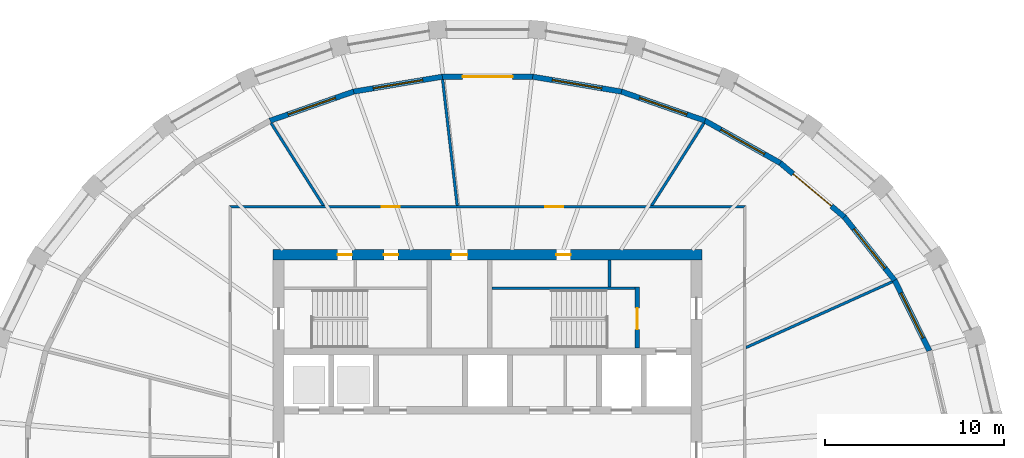
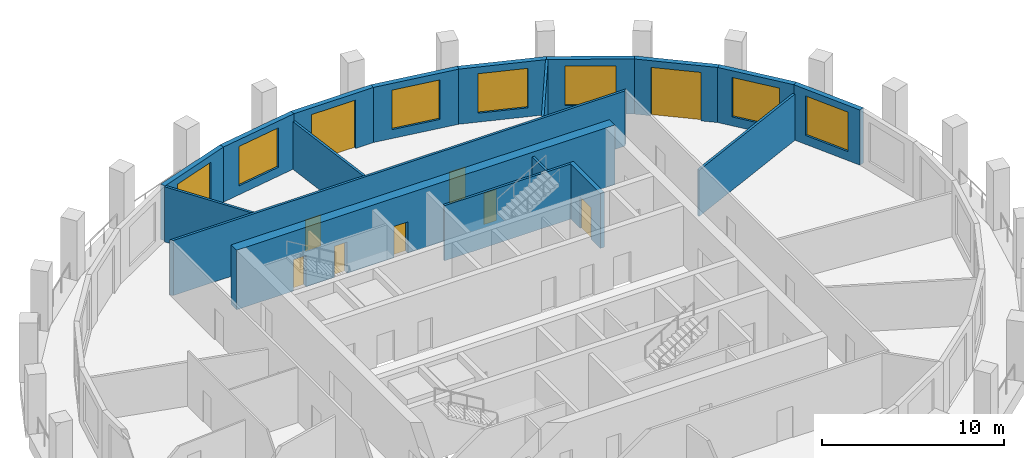
# One storey, part 6 of 10: 18 walls, 9 doors, 7 windows, 16 openings.
"""IFC4 building model written with IfcOpenShell, lengths in metres."""

from ifc_helpers import new_model, si_unit, direction, frame, frame_2d, origin, place, context, subcontext, project, spatial, polyline, rectangle, outline, extrude, material, layer, layer_set, type_object, element, fill, save


model = new_model("IFC4")

# Units and contexts
model_context = context("Model", 3, precision=1e-05, world=origin(), true_north=direction((0.0, 1.0)))
body_context = subcontext(model_context, "Body", "Model", "MODEL_VIEW")
ifc_project = project(units=[si_unit("LENGTHUNIT", "METRE"), si_unit("AREAUNIT", "SQUARE_METRE"), si_unit("VOLUMEUNIT", "CUBIC_METRE"), si_unit("PLANEANGLEUNIT", "RADIAN"), si_unit("MASSUNIT", "GRAM", prefix="KILO")], contexts=[model_context])

# Site, building, storey
site_placement = place(None, origin())
site = spatial("IfcSite", under=ifc_project, at=site_placement, CompositionType="ELEMENT")
building_placement = place(site_placement, origin())
building = spatial("IfcBuilding", under=site, at=building_placement, Name="Halqa Exchange Tower", CompositionType="ELEMENT")
storey_placement = place(building_placement, frame((0.0, 0.0, 320.300048828125)))
storey = spatial("IfcBuildingStorey", under=building, at=storey_placement, Name="L75", CompositionType="ELEMENT", Elevation=320.300048828125)

# Wall, openings, doors
ifc_material_1 = material(Name="Fire-rated gypsum board")
ifc_layer_1 = layer(ifc_material_1, 0.14990234375)
ifc_layer_set_1 = layer_set([ifc_layer_1], Name="Fire-rated gypsum board")
wall_type_1 = type_object("IfcWallType", Name="Fire partition EI 60 150", PredefinedType="PARTITIONING", material=ifc_layer_set_1)
wall_1_placement = place(storey_placement, frame((-14.47509765625, 14.39990234375, 0.0), z_axis=(0.0, 0.0, 1.0), x_axis=(1.0, 0.0, 0.0)))
wall_1 = element("IfcWall", 1, at=wall_1_placement, inside=storey, type_object=wall_type_1, Name="L75-PWL-008", PredefinedType="PARTITIONING", context=body_context, shape_type="SweptSolid", body=[
    extrude(outline(polyline([(0.150146484375, -0.074951171875), (2.06005859375, -0.074951171875), (3.97021484375, -0.074951171875), (5.880126953125, -0.074951171875), (7.7900390625, -0.074951171875), (9.7001953125, -0.074951171875), (11.610107421875, -0.074951171875), (13.52001953125, -0.074951171875), (15.43017578125, -0.074951171875), (17.340087890625, -0.074951171875), (19.25, -0.074951171875), (21.16015625, -0.074951171875), (23.070068359375, -0.074951171875), (24.97998046875, -0.074951171875), (26.89013671875, -0.074951171875), (28.800048828125, -0.074951171875), (28.949951171875, 0.074951171875), (27.02001953125, 0.074951171875), (25.090087890625, 0.074951171875), (23.159912109375, 0.074951171875), (21.22998046875, 0.074951171875), (19.300048828125, 0.074951171875), (17.3701171875, 0.074951171875), (15.440185546875, 0.074951171875), (13.510009765625, 0.074951171875), (11.580078125, 0.074951171875), (9.650146484375, 0.074951171875), (7.72021484375, 0.074951171875), (5.790283203125, 0.074951171875), (3.860107421875, 0.074951171875), (1.93017578125, 0.074951171875), (0.000244140625, 0.074951171875), (0.150146484375, -0.074951171875)])), origin(), (0.0, 0.0, 1.0), 3.699951171875),
])
opening_1_placement = place(wall_1_placement, frame((17.705078125, 0.0, 0.0)))
opening_1 = element("IfcOpeningElement", 2, at=opening_1_placement, cuts=wall_1, Name="Opening 23-02", PredefinedType="OPENING", context=body_context, shape_type="SweptSolid", body=[
    extrude(rectangle(XDim=1.0, YDim=2.10009765625, at=frame_2d((0.5, 1.050048828125))), frame((0.0, 0.0869140625, 0.0), z_axis=(0.0, -1.0, 0.0), x_axis=(1.0, 0.0, 0.0)), (0.0, 0.0, 1.0), 0.173828125),
])
opening_2_placement = place(wall_1_placement, frame((8.554931640625, 0.0, 0.0)))
opening_2 = element("IfcOpeningElement", 3, at=opening_2_placement, cuts=wall_1, Name="Opening 23-03", PredefinedType="OPENING", context=body_context, shape_type="SweptSolid", body=[
    extrude(rectangle(XDim=1.0, YDim=2.10009765625, at=frame_2d((0.5, 1.050048828125))), frame((0.0, 0.0869140625, 0.0), z_axis=(0.0, -1.0, 0.0), x_axis=(1.0, 0.0, 0.0)), (0.0, 0.0, 1.0), 0.173828125),
])
ifc_material_2 = material(Name="Steel fire door leaf", Category="steel")
door_type_1 = type_object("IfcDoorType", Name="Fire door FD30S 1000 x 2100", OperationType="SINGLE_SWING_LEFT", PredefinedType="DOOR", material=ifc_material_2)
door_1_placement = place(opening_1_placement, origin())
door_1 = element("IfcDoor", 4, at=door_1_placement, inside=storey, type_object=door_type_1, Name="L75-IDR-002", OperationType="SINGLE_SWING_RIGHT", OverallHeight=2.10009765625, OverallWidth=1.0, PredefinedType="DOOR", context=body_context, shape_type="SweptSolid", body=[
    extrude(rectangle(XDim=1.0, YDim=2.10009765625, at=frame_2d((0.5, 1.050048828125))), frame((0.0, 0.02490234375, 0.0), z_axis=(0.0, -1.0, 0.0), x_axis=(1.0, 0.0, 0.0)), (0.0, 0.0, 1.0), 0.050048828125),
])
fill(opening_1, door_1)
door_2_placement = place(opening_2_placement, origin())
door_2 = element("IfcDoor", 5, at=door_2_placement, inside=storey, type_object=door_type_1, Name="L75-IDR-003", OperationType="SINGLE_SWING_RIGHT", OverallHeight=2.10009765625, OverallWidth=1.0, PredefinedType="DOOR", context=body_context, shape_type="SweptSolid", body=[
    extrude(rectangle(XDim=1.0, YDim=2.10009765625, at=frame_2d((0.5, 1.050048828125))), frame((0.0, 0.02490234375, 0.0), z_axis=(0.0, -1.0, 0.0), x_axis=(1.0, 0.0, 0.0)), (0.0, 0.0, 1.0), 0.050048828125),
])
fill(opening_2, door_2)

# Walls
wall_2_placement = place(storey_placement, frame((-9.172119140625, 14.43505859375, 0.0), z_axis=(0.0, 0.0, 1.0), x_axis=(-0.536016173419, 0.844207712493, 0.0)))
element("IfcWall", 6, at=wall_2_placement, inside=storey, type_object=wall_type_1, Name="L75-PWL-010", PredefinedType="PARTITIONING", context=body_context, shape_type="SweptSolid", body=[
    extrude(outline(polyline([(0.0, -0.074951171875), (1.82568359375, -0.074951171875), (3.6513671875, -0.074951171875), (5.477294921875, -0.074951171875), (5.494140625, -0.002685546875), (5.498291015625, 0.074951171875), (3.697265625, 0.074951171875), (1.89599609375, 0.074951171875), (0.094970703125, 0.074951171875), (0.0, -0.074462890625), (0.0, -0.074951171875)])), origin(), (0.0, 0.0, 1.0), 3.699951171875),
])
wall_3_placement = place(storey_placement, frame((-1.69775390625, 14.466552734375, 0.0), z_axis=(0.0, 0.0, 1.0), x_axis=(-0.115131681879, 0.993350238248, 0.0)))
element("IfcWall", 7, at=wall_3_placement, inside=storey, type_object=wall_type_1, Name="L75-PWL-011", PredefinedType="PARTITIONING", context=body_context, shape_type="SweptSolid", body=[
    extrude(outline(polyline([(0.0, -0.074951171875), (1.774169921875, -0.074951171875), (3.54833984375, -0.074951171875), (5.322265625, -0.074951171875), (7.096435546875, -0.074951171875), (7.1015625, -0.03125), (7.1015625, 0.074951171875), (5.33056640625, 0.074951171875), (3.559326171875, 0.074951171875), (1.788330078125, 0.074951171875), (0.01708984375, 0.074951171875), (0.0, -0.073486328125), (0.0, -0.074951171875)])), origin(), (0.0, 0.0, 1.0), 3.199951171875),
])
wall_4_placement = place(storey_placement, frame((9.172119140625, 14.43505859375, 0.0), z_axis=(0.0, 0.0, 1.0), x_axis=(0.536016173419, 0.844207712493, 0.0)))
element("IfcWall", 8, at=wall_4_placement, inside=storey, type_object=wall_type_1, Name="L75-PWL-013", PredefinedType="PARTITIONING", context=body_context, shape_type="SweptSolid", body=[
    extrude(outline(polyline([(0.094970703125, -0.074951171875), (1.89599609375, -0.074951171875), (3.697265625, -0.074951171875), (5.498291015625, -0.074951171875), (5.494140625, 0.002685546875), (5.477294921875, 0.074951171875), (3.6513671875, 0.074951171875), (1.82568359375, 0.074951171875), (0.0, 0.074951171875), (0.0, 0.074462890625), (0.094970703125, -0.074951171875)])), origin(), (0.0, 0.0, 1.0), 3.699951171875),
])
wall_5_placement = place(storey_placement, frame((22.667236328125, 10.197265625, 0.0), z_axis=(0.0, 0.0, 1.0), x_axis=(-0.912043070278, -0.410094425662, 0.0)))
element("IfcWall", 9, at=wall_5_placement, inside=storey, type_object=wall_type_1, Name="L75-PWL-018", PredefinedType="PARTITIONING", context=body_context, shape_type="SweptSolid", body=[
    extrude(outline(polyline([(0.021484375, -0.074951171875), (1.806884765625, -0.074951171875), (3.59228515625, -0.074951171875), (5.377685546875, -0.074951171875), (7.1630859375, -0.074951171875), (8.948486328125, -0.074951171875), (9.015625, 0.07421875), (9.015625, 0.074951171875), (7.21240234375, 0.074951171875), (5.409423828125, 0.074951171875), (3.606201171875, 0.074951171875), (1.80322265625, 0.074951171875), (0.0, 0.074951171875), (0.0, 0.066162109375), (0.002197265625, 0.000732421875), (0.021484375, -0.074951171875)])), origin(), (0.0, 0.0, 1.0), 3.099853515625),
])
ifc_material_3 = material(Name="Gypsum board")
ifc_layer_2 = layer(ifc_material_3, 0.14990234375)
ifc_layer_set_2 = layer_set([ifc_layer_2], Name="Gypsum board")
wall_type_2 = type_object("IfcWallType", Name="Penthouse riser wall 150 gypsum", PredefinedType="PARTITIONING", material=ifc_layer_set_2)
wall_6_placement = place(storey_placement, frame((6.824951171875, 9.89990234375, 0.0), z_axis=(0.0, 0.0, 1.0), x_axis=(0.0, 1.0, 0.0)))
element("IfcWall", 10, at=wall_6_placement, inside=storey, type_object=wall_type_2, Name="Firefighting lobby west wall N", PredefinedType="PARTITIONING", context=body_context, shape_type="SweptSolid", body=[
    extrude(rectangle(XDim=1.5, YDim=0.14990234375, at=frame_2d((0.75, 0.0))), origin(), (0.0, 0.0, 1.0), 3.699951171875),
])

# Wall, openings, doors
ifc_material_4 = material(Name="Concrete C60/75", Category="concrete")
ifc_layer_3 = layer(ifc_material_4, 0.60009765625)
ifc_layer_set_3 = layer_set([ifc_layer_3], Name="Concrete C60/75")
wall_type_3 = type_object("IfcWallType", Name="RC core wall 600 C60/75", PredefinedType="SHEAR", material=ifc_layer_set_3)
wall_7_placement = place(storey_placement, frame((-12.0, 11.699951171875, 0.0), z_axis=(0.0, 0.0, 1.0), x_axis=(1.0, 0.0, 0.0)))
wall_7 = element("IfcWall", 11, at=wall_7_placement, inside=storey, type_object=wall_type_3, Name="Core wall north", PredefinedType="SHEAR", context=body_context, shape_type="SweptSolid", body=[
    extrude(rectangle(XDim=24.0, YDim=0.60009765625, at=frame_2d((12.0, 0.0))), origin(), (0.0, 0.0, 1.0), 4.0),
])
opening_3_placement = place(wall_7_placement, frame((9.97509765625, 0.0, 0.0)))
opening_3 = element("IfcOpeningElement", 12, at=opening_3_placement, cuts=wall_7, Name="Opening T23-C17", PredefinedType="OPENING", context=body_context, shape_type="SweptSolid", body=[
    extrude(rectangle(XDim=0.89990234375, YDim=2.10009765625, at=frame_2d((0.449951171875, 1.050048828125))), frame((0.0, 0.31201171875, 0.0), z_axis=(0.0, -1.0, 0.0), x_axis=(1.0, 0.0, 0.0)), (0.0, 0.0, 1.0), 0.6240234375),
])
opening_4_placement = place(wall_7_placement, frame((3.60009765625, 0.0, 0.0)))
opening_4 = element("IfcOpeningElement", 13, at=opening_4_placement, cuts=wall_7, Name="Opening T23-C18", PredefinedType="OPENING", context=body_context, shape_type="SweptSolid", body=[
    extrude(rectangle(XDim=0.800048828125, YDim=2.10009765625, at=frame_2d((0.39990234375, 1.050048828125))), frame((0.0, 0.31201171875, 0.0), z_axis=(0.0, -1.0, 0.0), x_axis=(1.0, 0.0, 0.0)), (0.0, 0.0, 1.0), 0.6240234375),
])
opening_5_placement = place(wall_7_placement, frame((6.199951171875, 0.0, 0.0)))
opening_5 = element("IfcOpeningElement", 14, at=opening_5_placement, cuts=wall_7, Name="Opening T23-C19", PredefinedType="OPENING", context=body_context, shape_type="SweptSolid", body=[
    extrude(rectangle(XDim=0.800048828125, YDim=2.10009765625, at=frame_2d((0.39990234375, 1.050048828125))), frame((0.0, 0.31201171875, 0.0), z_axis=(0.0, -1.0, 0.0), x_axis=(1.0, 0.0, 0.0)), (0.0, 0.0, 1.0), 0.6240234375),
])
opening_6_placement = place(wall_7_placement, frame((15.85009765625, 0.0, 0.0)))
opening_6 = element("IfcOpeningElement", 15, at=opening_6_placement, cuts=wall_7, Name="Opening T23-C20", PredefinedType="OPENING", context=body_context, shape_type="SweptSolid", body=[
    extrude(rectangle(XDim=0.800048828125, YDim=2.10009765625, at=frame_2d((0.39990234375, 1.050048828125))), frame((0.0, 0.31201171875, 0.0), z_axis=(0.0, -1.0, 0.0), x_axis=(1.0, 0.0, 0.0)), (0.0, 0.0, 1.0), 0.6240234375),
])
ifc_material_5 = material(Name="Timber fire door leaf", Category="wood")
door_type_2 = type_object("IfcDoorType", Name="Core room door FD30 900 x 2100", OperationType="SINGLE_SWING_LEFT", PredefinedType="DOOR", material=ifc_material_5)
door_3_placement = place(opening_3_placement, frame((0.89990234375, 0.0, 0.0), z_axis=(0.0, 0.0, 1.0), x_axis=(-1.0, 0.0, 0.0)))
door_3 = element("IfcDoor", 16, at=door_3_placement, inside=storey, type_object=door_type_2, Name="Core room door", OperationType="SINGLE_SWING_RIGHT", OverallHeight=2.10009765625, OverallWidth=0.89990234375, PredefinedType="DOOR", context=body_context, shape_type="SweptSolid", body=[
    extrude(rectangle(XDim=0.89990234375, YDim=2.10009765625, at=frame_2d((0.449951171875, 1.050048828125))), frame((0.0, 0.02490234375, 0.0), z_axis=(0.0, -1.0, 0.0), x_axis=(1.0, 0.0, 0.0)), (0.0, 0.0, 1.0), 0.050048828125),
])
fill(opening_3, door_3)
door_type_3 = type_object("IfcDoorType", Name="Riser door FD60 800 x 2100", OperationType="SINGLE_SWING_LEFT", PredefinedType="DOOR", material=ifc_material_2)
door_4_placement = place(opening_4_placement, frame((0.800048828125, 0.0, 0.0), z_axis=(0.0, 0.0, 1.0), x_axis=(-1.0, 0.0, 0.0)))
door_4 = element("IfcDoor", 17, at=door_4_placement, inside=storey, type_object=door_type_3, Name="Core room door", OperationType="SINGLE_SWING_RIGHT", OverallHeight=2.10009765625, OverallWidth=0.800048828125, PredefinedType="DOOR", context=body_context, shape_type="SweptSolid", body=[
    extrude(rectangle(XDim=0.800048828125, YDim=2.10009765625, at=frame_2d((0.39990234375, 1.050048828125))), frame((0.0, 0.02490234375, 0.0), z_axis=(0.0, -1.0, 0.0), x_axis=(1.0, 0.0, 0.0)), (0.0, 0.0, 1.0), 0.050048828125),
])
fill(opening_4, door_4)
door_5_placement = place(opening_5_placement, frame((0.800048828125, 0.0, 0.0), z_axis=(0.0, 0.0, 1.0), x_axis=(-1.0, 0.0, 0.0)))
door_5 = element("IfcDoor", 18, at=door_5_placement, inside=storey, type_object=door_type_3, Name="Core room door", OperationType="SINGLE_SWING_LEFT", OverallHeight=2.10009765625, OverallWidth=0.800048828125, PredefinedType="DOOR", context=body_context, shape_type="SweptSolid", body=[
    extrude(rectangle(XDim=0.800048828125, YDim=2.10009765625, at=frame_2d((0.39990234375, 1.050048828125))), frame((0.0, 0.02490234375, 0.0), z_axis=(0.0, -1.0, 0.0), x_axis=(1.0, 0.0, 0.0)), (0.0, 0.0, 1.0), 0.050048828125),
])
fill(opening_5, door_5)
door_6_placement = place(opening_6_placement, frame((0.800048828125, 0.0, 0.0), z_axis=(0.0, 0.0, 1.0), x_axis=(-1.0, 0.0, 0.0)))
door_6 = element("IfcDoor", 19, at=door_6_placement, inside=storey, type_object=door_type_3, Name="Core room door", OperationType="SINGLE_SWING_RIGHT", OverallHeight=2.10009765625, OverallWidth=0.800048828125, PredefinedType="DOOR", context=body_context, shape_type="SweptSolid", body=[
    extrude(rectangle(XDim=0.800048828125, YDim=2.10009765625, at=frame_2d((0.39990234375, 1.050048828125))), frame((0.0, 0.02490234375, 0.0), z_axis=(0.0, -1.0, 0.0), x_axis=(1.0, 0.0, 0.0)), (0.0, 0.0, 1.0), 0.050048828125),
])
fill(opening_6, door_6)

# Wall
ifc_material_6 = material(Name="Concrete C30/37", Category="concrete")
ifc_layer_4 = layer(ifc_material_6, 0.14990234375)
ifc_layer_set_4 = layer_set([ifc_layer_4], Name="Concrete C30/37")
wall_type_4 = type_object("IfcWallType", Name="RC stair wall 150 C30/37", PredefinedType="SHEAR", material=ifc_layer_set_4)
wall_8_placement = place(storey_placement, frame((0.25, 9.824951171875, 0.0), z_axis=(0.0, 0.0, 1.0), x_axis=(1.0, 0.0, 0.0)))
element("IfcWall", 20, at=wall_8_placement, inside=storey, type_object=wall_type_4, Name="Stair ST2 north wall N", PredefinedType="SHEAR", context=body_context, shape_type="SweptSolid", body=[
    extrude(rectangle(XDim=8.0, YDim=0.14990234375, at=frame_2d((4.0, 0.0))), origin(), (0.0, 0.0, 1.0), 3.699951171875),
])

# Wall, opening, door
ifc_layer_5 = layer(ifc_material_6, 0.25)
ifc_layer_set_5 = layer_set([ifc_layer_5], Name="Concrete C30/37")
wall_type_5 = type_object("IfcWallType", Name="RC stair wall 250 C30/37", PredefinedType="SHEAR", material=ifc_layer_set_5)
wall_9_placement = place(storey_placement, frame((8.375, 6.5, 0.0), z_axis=(0.0, 0.0, 1.0), x_axis=(0.0, 1.0, 0.0)))
wall_9 = element("IfcWall", 21, at=wall_9_placement, inside=storey, type_object=wall_type_5, Name="Stair ST2 east wall N", PredefinedType="SHEAR", context=body_context, shape_type="SweptSolid", body=[
    extrude(rectangle(XDim=3.39990234375, YDim=0.25, at=frame_2d((1.699951171875, 0.0))), origin(), (0.0, 0.0, 1.0), 3.699951171875),
])
opening_7_placement = place(wall_9_placement, frame((1.02490234375, 0.0, 0.0)))
opening_7 = element("IfcOpeningElement", 22, at=opening_7_placement, cuts=wall_9, Name="Opening T23-C12", PredefinedType="OPENING", context=body_context, shape_type="SweptSolid", body=[
    extrude(rectangle(XDim=1.199951171875, YDim=2.10009765625, at=frame_2d((0.60009765625, 1.050048828125))), frame((0.0, 0.136962890625, 0.0), z_axis=(0.0, -1.0, 0.0), x_axis=(1.0, 0.0, 0.0)), (0.0, 0.0, 1.0), 0.27392578125),
])
door_type_4 = type_object("IfcDoorType", Name="Stair door FD90 1200 x 2100", OperationType="SINGLE_SWING_LEFT", PredefinedType="DOOR", material=ifc_material_2)
door_7_placement = place(opening_7_placement, origin())
door_7 = element("IfcDoor", 23, at=door_7_placement, inside=storey, type_object=door_type_4, Name="Stair door ST2", OperationType="SINGLE_SWING_RIGHT", OverallHeight=2.10009765625, OverallWidth=1.199951171875, PredefinedType="DOOR", context=body_context, shape_type="SweptSolid", body=[
    extrude(rectangle(XDim=1.199951171875, YDim=2.10009765625, at=frame_2d((0.60009765625, 1.050048828125))), frame((0.0, 0.02490234375, 0.0), z_axis=(0.0, -1.0, 0.0), x_axis=(1.0, 0.0, 0.0)), (0.0, 0.0, 1.0), 0.050048828125),
])
fill(opening_7, door_7)

# Wall, opening, window
ifc_material_7 = material(Name="Limestone cladding", Category="masonry")
ifc_layer_6 = layer(ifc_material_7, 0.0400390625)
ifc_material_8 = material(Name="Ventilated cavity")
ifc_layer_7 = layer(ifc_material_8, 0.030029296875, ventilated=True)
ifc_material_9 = material(Name="Mineral wool insulation")
ifc_layer_8 = layer(ifc_material_9, 0.10009765625)
ifc_layer_9 = layer(ifc_material_6, 0.10009765625)
ifc_material_10 = material(Name="Internal plaster")
ifc_layer_10 = layer(ifc_material_10, 0.030029296875)
ifc_layer_set_6 = layer_set([ifc_layer_6, ifc_layer_7, ifc_layer_8, ifc_layer_9, ifc_layer_10], Name="Stone-faced insulated wall 300")
wall_type_6 = type_object("IfcWallType", Name="Stone-faced insulated wall 300", PredefinedType="STANDARD", material=ifc_layer_set_6)
wall_10_placement = place(storey_placement, frame((24.735595703125, 6.32958984375, 0.0), z_axis=(0.0, 0.0, 1.0), x_axis=(-0.441610485853, 0.897206876247, 0.0)))
wall_10 = element("IfcWall", 24, at=wall_10_placement, inside=storey, type_object=wall_type_6, Name="Glass-line wall 2", PredefinedType="STANDARD", context=body_context, shape_type="SweptSolid", body=[
    extrude(outline(polyline([(-0.01708984375, -0.14990234375), (4.4150390625, -0.14990234375), (4.3828125, 0.14990234375), (0.01708984375, 0.14990234375), (-0.01708984375, -0.14990234375)])), origin(), (0.0, 0.0, 1.0), 3.699951171875),
])
opening_8_placement = place(wall_10_placement, frame((0.799560546875, 0.0, 0.60009765625)))
opening_8 = element("IfcOpeningElement", 25, at=opening_8_placement, cuts=wall_10, Name="Opening W-F4-02", PredefinedType="OPENING", context=body_context, shape_type="SweptSolid", body=[
    extrude(rectangle(XDim=2.800048828125, YDim=2.64990234375, at=frame_2d((1.39990234375, 1.324951171875))), frame((0.0, 0.162109375, 0.0), z_axis=(0.0, -1.0, 0.0), x_axis=(1.0, 0.0, 0.0)), (0.0, 0.0, 1.0), 0.323974609375),
])
ifc_material_11 = material(Name="Clear low-emissivity glass in aluminium frame", Category="aluminium")
window_type = type_object("IfcWindowType", Name="Fixed clear glazed window 2800 x 2650", PartitioningType="DOUBLE_PANEL_VERTICAL", PredefinedType="WINDOW", material=ifc_material_11)
window_1_placement = place(opening_8_placement, origin())
window_1 = element("IfcWindow", 26, at=window_1_placement, inside=storey, type_object=window_type, Name="Window 4", OverallHeight=2.64990234375, OverallWidth=2.800048828125, PartitioningType="DOUBLE_PANEL_VERTICAL", PredefinedType="WINDOW", context=body_context, shape_type="SweptSolid", body=[
    extrude(rectangle(XDim=2.800048828125, YDim=2.64990234375, at=frame_2d((1.39990234375, 1.324951171875))), frame((0.0, 0.030029296875, 0.0), z_axis=(0.0, -1.0, 0.0), x_axis=(1.0, 0.0, 0.0)), (0.0, 0.0, 1.0), 0.06005859375),
])
fill(opening_8, window_1)

wall_11_placement = place(storey_placement, frame((22.79296875, 10.2763671875, 0.0), z_axis=(0.0, 0.0, 1.0), x_axis=(-0.621800530555, 0.783175650925, 0.0)))
wall_11 = element("IfcWall", 27, at=wall_11_placement, inside=storey, type_object=wall_type_6, Name="Glass-line wall 3", PredefinedType="STANDARD", context=body_context, shape_type="SweptSolid", body=[
    extrude(outline(polyline([(-0.01611328125, -0.14990234375), (4.547607421875, -0.14990234375), (4.517333984375, 0.14990234375), (0.01611328125, 0.14990234375), (-0.01611328125, -0.14990234375)])), origin(), (0.0, 0.0, 1.0), 3.699951171875),
])
opening_9_placement = place(wall_11_placement, frame((0.8662109375, 0.0, 0.60009765625)))
opening_9 = element("IfcOpeningElement", 28, at=opening_9_placement, cuts=wall_11, Name="Opening W-F4-03", PredefinedType="OPENING", context=body_context, shape_type="SweptSolid", body=[
    extrude(rectangle(XDim=2.800048828125, YDim=2.64990234375, at=frame_2d((1.39990234375, 1.324951171875))), frame((0.0, 0.162109375, 0.0), z_axis=(0.0, -1.0, 0.0), x_axis=(1.0, 0.0, 0.0)), (0.0, 0.0, 1.0), 0.323974609375),
])
window_2_placement = place(opening_9_placement, origin())
window_2 = element("IfcWindow", 29, at=window_2_placement, inside=storey, type_object=window_type, Name="Window 4", OverallHeight=2.64990234375, OverallWidth=2.800048828125, PartitioningType="DOUBLE_PANEL_VERTICAL", PredefinedType="WINDOW", context=body_context, shape_type="SweptSolid", body=[
    extrude(rectangle(XDim=2.800048828125, YDim=2.64990234375, at=frame_2d((1.39990234375, 1.324951171875))), frame((0.0, 0.030029296875, 0.0), z_axis=(0.0, -1.0, 0.0), x_axis=(1.0, 0.0, 0.0)), (0.0, 0.0, 1.0), 0.06005859375),
])
fill(opening_9, window_2)

# Wall, opening, door
wall_12_placement = place(storey_placement, frame((19.974609375, 13.826171875, 0.0), z_axis=(0.0, 0.0, 1.0), x_axis=(-0.765128700347, 0.643877373344, 0.0)))
wall_12 = element("IfcWall", 30, at=wall_12_placement, inside=storey, type_object=wall_type_6, Name="Glass-line wall 4", PredefinedType="STANDARD", context=body_context, shape_type="SweptSolid", body=[
    extrude(outline(polyline([(-0.01513671875, -0.14990234375), (4.69970703125, -0.14990234375), (4.67138671875, 0.14990234375), (0.01513671875, 0.14990234375), (-0.01513671875, -0.14990234375)])), origin(), (0.0, 0.0, 1.0), 3.699951171875),
])
opening_10_placement = place(wall_12_placement, frame((0.942626953125, 0.0, 0.0)))
opening_10 = element("IfcOpeningElement", 31, at=opening_10_placement, cuts=wall_12, Name="Opening LG-F4-01", PredefinedType="OPENING", context=body_context, shape_type="SweptSolid", body=[
    extrude(rectangle(XDim=2.800048828125, YDim=3.25, at=frame_2d((1.39990234375, 1.625))), frame((0.0, 0.162109375, 0.0), z_axis=(0.0, -1.0, 0.0), x_axis=(1.0, 0.0, 0.0)), (0.0, 0.0, 1.0), 0.323974609375),
])
door_type_5 = type_object("IfcDoorType", Name="Glazed sliding loggia door 2800 x 3250", OperationType="DOUBLE_DOOR_SLIDING", PredefinedType="DOOR", material=ifc_material_11)
door_8_placement = place(opening_10_placement, origin())
door_8 = element("IfcDoor", 32, at=door_8_placement, inside=storey, type_object=door_type_5, Name="Loggia door 1", OperationType="DOUBLE_DOOR_SLIDING", OverallHeight=3.25, OverallWidth=2.800048828125, PredefinedType="DOOR", context=body_context, shape_type="SweptSolid", body=[
    extrude(rectangle(XDim=2.800048828125, YDim=3.25, at=frame_2d((1.39990234375, 1.625))), frame((0.0, 0.02490234375, 0.0), z_axis=(0.0, -1.0, 0.0), x_axis=(1.0, 0.0, 0.0)), (0.0, 0.0, 1.0), 0.050048828125),
])
fill(opening_10, door_8)

# Wall, opening, window
wall_13_placement = place(storey_placement, frame((16.3896484375, 16.843017578125, 0.0), z_axis=(0.0, 0.0, 1.0), x_axis=(-0.871651071333, 0.49012693238, 0.0)))
wall_13 = element("IfcWall", 33, at=wall_13_placement, inside=storey, type_object=wall_type_6, Name="Glass-line wall 5", PredefinedType="STANDARD", context=body_context, shape_type="SweptSolid", body=[
    extrude(outline(polyline([(-0.01416015625, -0.14990234375), (4.846435546875, -0.14990234375), (4.820068359375, 0.14990234375), (0.01416015625, 0.14990234375), (-0.01416015625, -0.14990234375)])), origin(), (0.0, 0.0, 1.0), 3.699951171875),
])
opening_11_placement = place(wall_13_placement, frame((1.0166015625, 0.0, 0.60009765625)))
opening_11 = element("IfcOpeningElement", 34, at=opening_11_placement, cuts=wall_13, Name="Opening W-F4-05", PredefinedType="OPENING", context=body_context, shape_type="SweptSolid", body=[
    extrude(rectangle(XDim=2.800048828125, YDim=2.64990234375, at=frame_2d((1.39990234375, 1.324951171875))), frame((0.0, 0.162109375, 0.0), z_axis=(0.0, -1.0, 0.0), x_axis=(1.0, 0.0, 0.0)), (0.0, 0.0, 1.0), 0.323974609375),
])
window_3_placement = place(opening_11_placement, origin())
window_3 = element("IfcWindow", 35, at=window_3_placement, inside=storey, type_object=window_type, Name="Window 4", OverallHeight=2.64990234375, OverallWidth=2.800048828125, PartitioningType="DOUBLE_PANEL_VERTICAL", PredefinedType="WINDOW", context=body_context, shape_type="SweptSolid", body=[
    extrude(rectangle(XDim=2.800048828125, YDim=2.64990234375, at=frame_2d((1.39990234375, 1.324951171875))), frame((0.0, 0.030029296875, 0.0), z_axis=(0.0, -1.0, 0.0), x_axis=(1.0, 0.0, 0.0)), (0.0, 0.0, 1.0), 0.06005859375),
])
fill(opening_11, window_3)

wall_14_placement = place(storey_placement, frame((12.1767578125, 19.2119140625, 0.0), z_axis=(0.0, 0.0, 1.0), x_axis=(-0.944273917508, 0.329160703479, 0.0)))
wall_14 = element("IfcWall", 36, at=wall_14_placement, inside=storey, type_object=wall_type_6, Name="Glass-line wall 6", PredefinedType="STANDARD", context=body_context, shape_type="SweptSolid", body=[
    extrude(outline(polyline([(-0.01318359375, -0.14990234375), (4.968017578125, -0.14990234375), (4.942626953125, 0.14990234375), (0.01318359375, 0.14990234375), (-0.01318359375, -0.14990234375)])), origin(), (0.0, 0.0, 1.0), 3.699951171875),
])
opening_12_placement = place(wall_14_placement, frame((1.07763671875, 0.0, 0.60009765625)))
opening_12 = element("IfcOpeningElement", 37, at=opening_12_placement, cuts=wall_14, Name="Opening W-F4-06", PredefinedType="OPENING", context=body_context, shape_type="SweptSolid", body=[
    extrude(rectangle(XDim=2.800048828125, YDim=2.64990234375, at=frame_2d((1.39990234375, 1.324951171875))), frame((0.0, 0.162109375, 0.0), z_axis=(0.0, -1.0, 0.0), x_axis=(1.0, 0.0, 0.0)), (0.0, 0.0, 1.0), 0.323974609375),
])
window_4_placement = place(opening_12_placement, origin())
window_4 = element("IfcWindow", 38, at=window_4_placement, inside=storey, type_object=window_type, Name="Window 4", OverallHeight=2.64990234375, OverallWidth=2.800048828125, PartitioningType="DOUBLE_PANEL_VERTICAL", PredefinedType="WINDOW", context=body_context, shape_type="SweptSolid", body=[
    extrude(rectangle(XDim=2.800048828125, YDim=2.64990234375, at=frame_2d((1.39990234375, 1.324951171875))), frame((0.0, 0.030029296875, 0.0), z_axis=(0.0, -1.0, 0.0), x_axis=(1.0, 0.0, 0.0)), (0.0, 0.0, 1.0), 0.06005859375),
])
fill(opening_12, window_4)

wall_15_placement = place(storey_placement, frame((7.49755859375, 20.843017578125, 0.0), z_axis=(0.0, 0.0, 1.0), x_axis=(-0.986269147983, 0.165145898335, 0.0)))
wall_15 = element("IfcWall", 39, at=wall_15_placement, inside=storey, type_object=wall_type_6, Name="Glass-line wall 7", PredefinedType="STANDARD", context=body_context, shape_type="SweptSolid", body=[
    extrude(outline(polyline([(-0.0126953125, -0.14990234375), (5.047607421875, -0.14990234375), (5.022705078125, 0.14990234375), (0.0126953125, 0.14990234375), (-0.0126953125, -0.14990234375)])), origin(), (0.0, 0.0, 1.0), 3.699951171875),
])
opening_13_placement = place(wall_15_placement, frame((1.11767578125, 0.0, 0.60009765625)))
opening_13 = element("IfcOpeningElement", 40, at=opening_13_placement, cuts=wall_15, Name="Opening W-F4-07", PredefinedType="OPENING", context=body_context, shape_type="SweptSolid", body=[
    extrude(rectangle(XDim=2.800048828125, YDim=2.64990234375, at=frame_2d((1.39990234375, 1.324951171875))), frame((0.0, 0.162109375, 0.0), z_axis=(0.0, -1.0, 0.0), x_axis=(1.0, 0.0, 0.0)), (0.0, 0.0, 1.0), 0.323974609375),
])
window_5_placement = place(opening_13_placement, origin())
window_5 = element("IfcWindow", 41, at=window_5_placement, inside=storey, type_object=window_type, Name="Window 4", OverallHeight=2.64990234375, OverallWidth=2.800048828125, PartitioningType="DOUBLE_PANEL_VERTICAL", PredefinedType="WINDOW", context=body_context, shape_type="SweptSolid", body=[
    extrude(rectangle(XDim=2.800048828125, YDim=2.64990234375, at=frame_2d((1.39990234375, 1.324951171875))), frame((0.0, 0.030029296875, 0.0), z_axis=(0.0, -1.0, 0.0), x_axis=(1.0, 0.0, 0.0)), (0.0, 0.0, 1.0), 0.06005859375),
])
fill(opening_13, window_5)

# Wall, opening, door
wall_16_placement = place(storey_placement, frame((2.531494140625, 21.674560546875, 0.0), z_axis=(0.0, 0.0, 1.0), x_axis=(-1.0, 0.0, 0.0)))
wall_16 = element("IfcWall", 42, at=wall_16_placement, inside=storey, type_object=wall_type_6, Name="Glass-line wall 8", PredefinedType="STANDARD", context=body_context, shape_type="SweptSolid", body=[
    extrude(outline(polyline([(-0.012451171875, -0.14990234375), (5.075439453125, -0.14990234375), (5.050537109375, 0.14990234375), (0.012451171875, 0.14990234375), (-0.012451171875, -0.14990234375)])), origin(), (0.0, 0.0, 1.0), 3.699951171875),
])
opening_14_placement = place(wall_16_placement, frame((1.131591796875, 0.0, 0.0)))
opening_14 = element("IfcOpeningElement", 43, at=opening_14_placement, cuts=wall_16, Name="Opening LG-F4-02", PredefinedType="OPENING", context=body_context, shape_type="SweptSolid", body=[
    extrude(rectangle(XDim=2.800048828125, YDim=3.25, at=frame_2d((1.39990234375, 1.625))), frame((0.0, 0.162109375, 0.0), z_axis=(0.0, -1.0, 0.0), x_axis=(1.0, 0.0, 0.0)), (0.0, 0.0, 1.0), 0.323974609375),
])
door_9_placement = place(opening_14_placement, origin())
door_9 = element("IfcDoor", 44, at=door_9_placement, inside=storey, type_object=door_type_5, Name="Loggia door 2", OperationType="DOUBLE_DOOR_SLIDING", OverallHeight=3.25, OverallWidth=2.800048828125, PredefinedType="DOOR", context=body_context, shape_type="SweptSolid", body=[
    extrude(rectangle(XDim=2.800048828125, YDim=3.25, at=frame_2d((1.39990234375, 1.625))), frame((0.0, 0.02490234375, 0.0), z_axis=(0.0, -1.0, 0.0), x_axis=(1.0, 0.0, 0.0)), (0.0, 0.0, 1.0), 0.050048828125),
])
fill(opening_14, door_9)

# Wall, opening, window
wall_17_placement = place(storey_placement, frame((-2.531494140625, 21.674560546875, 0.0), z_axis=(0.0, 0.0, 1.0), x_axis=(-0.986269147983, -0.165145898335, 0.0)))
wall_17 = element("IfcWall", 45, at=wall_17_placement, inside=storey, type_object=wall_type_6, Name="Glass-line wall 9", PredefinedType="STANDARD", context=body_context, shape_type="SweptSolid", body=[
    extrude(outline(polyline([(-0.012451171875, -0.14990234375), (5.0478515625, -0.14990234375), (5.0224609375, 0.14990234375), (0.012451171875, 0.14990234375), (-0.012451171875, -0.14990234375)])), origin(), (0.0, 0.0, 1.0), 3.699951171875),
])
opening_15_placement = place(wall_17_placement, frame((1.11767578125, 0.0, 0.60009765625)))
opening_15 = element("IfcOpeningElement", 46, at=opening_15_placement, cuts=wall_17, Name="Opening W-F4-09", PredefinedType="OPENING", context=body_context, shape_type="SweptSolid", body=[
    extrude(rectangle(XDim=2.800048828125, YDim=2.64990234375, at=frame_2d((1.39990234375, 1.324951171875))), frame((0.0, 0.162109375, 0.0), z_axis=(0.0, -1.0, 0.0), x_axis=(1.0, 0.0, 0.0)), (0.0, 0.0, 1.0), 0.323974609375),
])
window_6_placement = place(opening_15_placement, origin())
window_6 = element("IfcWindow", 47, at=window_6_placement, inside=storey, type_object=window_type, Name="Window 4", OverallHeight=2.64990234375, OverallWidth=2.800048828125, PartitioningType="DOUBLE_PANEL_VERTICAL", PredefinedType="WINDOW", context=body_context, shape_type="SweptSolid", body=[
    extrude(rectangle(XDim=2.800048828125, YDim=2.64990234375, at=frame_2d((1.39990234375, 1.324951171875))), frame((0.0, 0.030029296875, 0.0), z_axis=(0.0, -1.0, 0.0), x_axis=(1.0, 0.0, 0.0)), (0.0, 0.0, 1.0), 0.06005859375),
])
fill(opening_15, window_6)

wall_18_placement = place(storey_placement, frame((-7.49755859375, 20.843017578125, 0.0), z_axis=(0.0, 0.0, 1.0), x_axis=(-0.944273917508, -0.329160703479, 0.0)))
wall_18 = element("IfcWall", 48, at=wall_18_placement, inside=storey, type_object=wall_type_6, Name="Glass-line wall 10", PredefinedType="STANDARD", context=body_context, shape_type="SweptSolid", body=[
    extrude(outline(polyline([(-0.0126953125, -0.14990234375), (4.968505859375, -0.14990234375), (4.942138671875, 0.14990234375), (0.0126953125, 0.14990234375), (-0.0126953125, -0.14990234375)])), origin(), (0.0, 0.0, 1.0), 3.699951171875),
])
opening_16_placement = place(wall_18_placement, frame((1.07763671875, 0.0, 0.60009765625)))
opening_16 = element("IfcOpeningElement", 49, at=opening_16_placement, cuts=wall_18, Name="Opening W-F4-10", PredefinedType="OPENING", context=body_context, shape_type="SweptSolid", body=[
    extrude(rectangle(XDim=2.800048828125, YDim=2.64990234375, at=frame_2d((1.39990234375, 1.324951171875))), frame((0.0, 0.162109375, 0.0), z_axis=(0.0, -1.0, 0.0), x_axis=(1.0, 0.0, 0.0)), (0.0, 0.0, 1.0), 0.323974609375),
])
window_7_placement = place(opening_16_placement, origin())
window_7 = element("IfcWindow", 50, at=window_7_placement, inside=storey, type_object=window_type, Name="Window 4", OverallHeight=2.64990234375, OverallWidth=2.800048828125, PartitioningType="DOUBLE_PANEL_VERTICAL", PredefinedType="WINDOW", context=body_context, shape_type="SweptSolid", body=[
    extrude(rectangle(XDim=2.800048828125, YDim=2.64990234375, at=frame_2d((1.39990234375, 1.324951171875))), frame((0.0, 0.030029296875, 0.0), z_axis=(0.0, -1.0, 0.0), x_axis=(1.0, 0.0, 0.0)), (0.0, 0.0, 1.0), 0.06005859375),
])
fill(opening_16, window_7)

save(model, "model.ifc")
